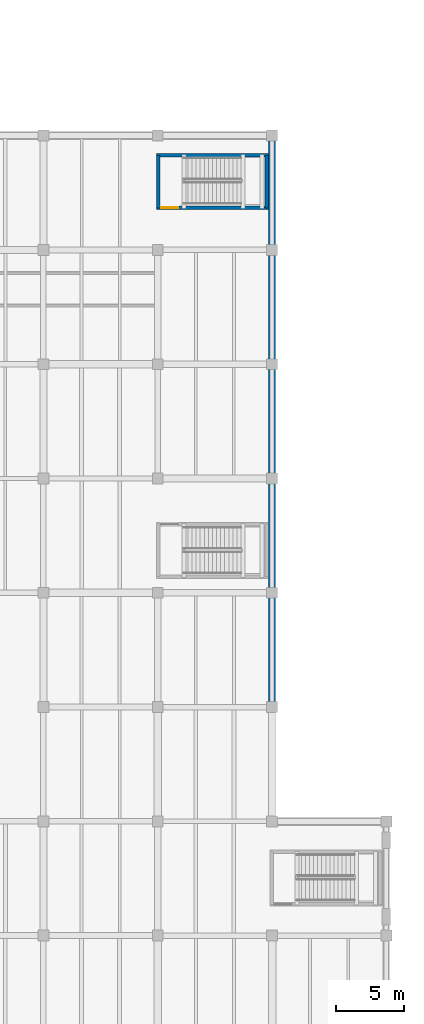
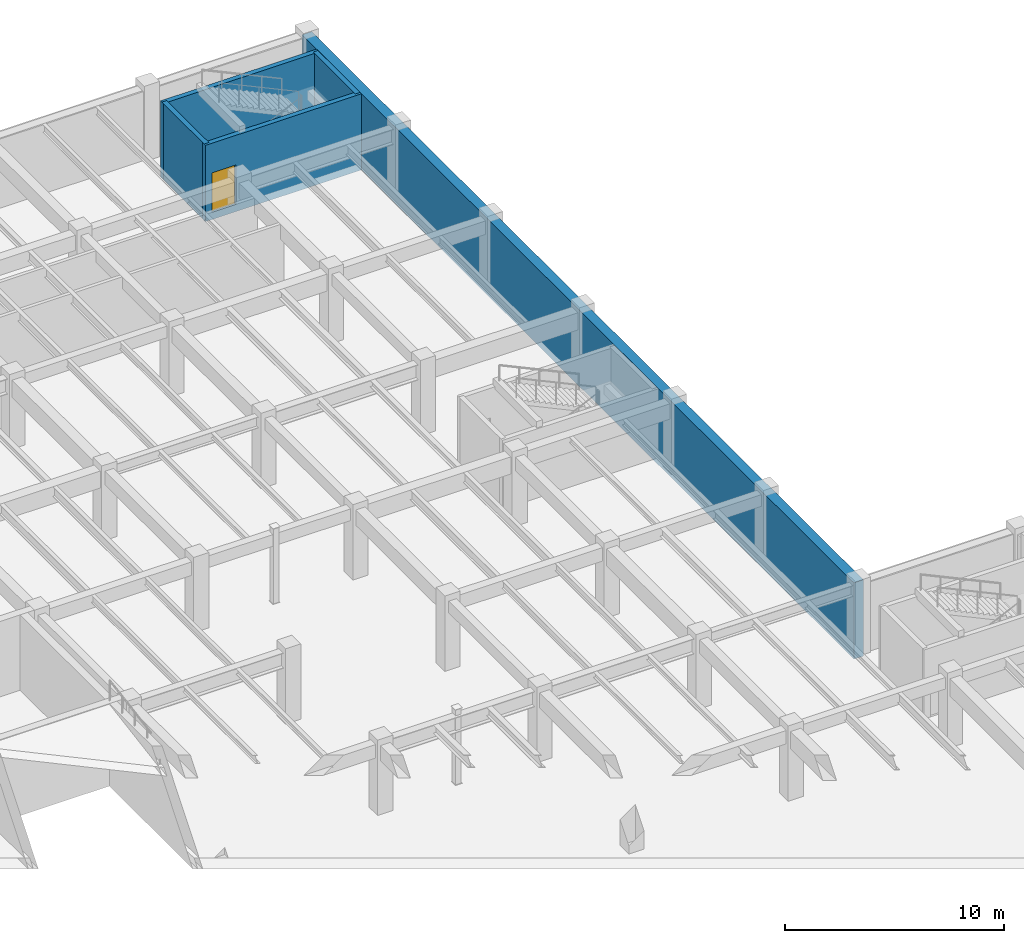
# One storey, part 48 of 63: 5 walls, 1 door, 1 opening.
"""IFC4 building model written with IfcOpenShell, lengths in metres."""

from ifc_helpers import new_model, si_unit, direction, frame, frame_2d, origin, place, context, subcontext, project, spatial, rectangle, extrude, material, layer, layer_set, type_object, element, fill, save


model = new_model("IFC4")

# Units and contexts
model_context = context("Model", 3, precision=1e-05, world=origin(), true_north=direction((0.0, 1.0)))
body_context = subcontext(model_context, "Body", "Model", "MODEL_VIEW")
ifc_project = project(units=[si_unit("LENGTHUNIT", "METRE"), si_unit("AREAUNIT", "SQUARE_METRE"), si_unit("VOLUMEUNIT", "CUBIC_METRE"), si_unit("PLANEANGLEUNIT", "RADIAN"), si_unit("MASSUNIT", "GRAM", prefix="KILO")], contexts=[model_context])

# Site, building, storey
site_placement = place(None, origin())
site = spatial("IfcSite", under=ifc_project, at=site_placement, CompositionType="ELEMENT")
building_placement = place(site_placement, origin())
building = spatial("IfcBuilding", under=site, at=building_placement, Name="Cumbredor Promenade Congress Hotel", CompositionType="ELEMENT")
storey_placement = place(building_placement, frame((0.0, 0.0, -4.199951171875)))
storey = spatial("IfcBuildingStorey", under=building, at=storey_placement, Name="B01", CompositionType="ELEMENT", Elevation=-4.199951171875)

# Wall
ifc_material_1 = material(Name="Concrete C40/50", Category="concrete")
ifc_layer_1 = layer(ifc_material_1, 0.5, Name="Concrete C40/50", Category="concrete")
ifc_layer_set_1 = layer_set([ifc_layer_1], Name="Concrete C40/50")
wall_type_1 = type_object("IfcWallType", Name="Basement Retaining Wall 500mm", PredefinedType="USERDEFINED", material=ifc_layer_set_1)
wall_1_placement = place(storey_placement, frame((176.39990234375, 67.199951171875, -0.400146484375), z_axis=(0.0, 0.0, 1.0), x_axis=(0.0, 1.0, 0.0)))
element("IfcWall", 1, at=wall_1_placement, inside=storey, type_object=wall_type_1, Name="B01 Basement Retaining Wall RW-B01-04", ObjectType="RETAINING WALL", PredefinedType="USERDEFINED", context=body_context, shape_type="SweptSolid", body=[
    extrude(rectangle(XDim=50.400146484375, YDim=0.5, at=frame_2d((25.2001953125, 0.0))), origin(), (0.0, 0.0, 1.0), 4.25),
])

# Wall, opening, door
ifc_layer_2 = layer(ifc_material_1, 0.2548828125, Name="Concrete C40/50", Category="concrete")
ifc_layer_set_2 = layer_set([ifc_layer_2], Name="Concrete C40/50")
wall_type_2 = type_object("IfcWallType", Name="WL-SHAFT-250", PredefinedType="SOLIDWALL", material=ifc_layer_set_2)
wall_2_placement = place(storey_placement, frame((167.922607421875, 112.300048828125, -0.400146484375), z_axis=(0.0, 0.0, 1.0), x_axis=(1.0, 0.0, 0.0)))
wall_2 = element("IfcWall", 2, at=wall_2_placement, inside=storey, type_object=wall_type_2, Name="STAIR-ST-16-B01 Shaft Wall South", PredefinedType="SOLIDWALL", context=body_context, shape_type="SweptSolid", body=[
    extrude(rectangle(XDim=8.224853515625, YDim=0.2548828125, at=frame_2d((4.1123046875, 0.0))), origin(), (0.0, 0.0, 1.0), 4.25),
])
opening_placement = place(wall_2_placement, frame((0.35009765625, 0.0, 0.39990234375)))
opening = element("IfcOpeningElement", 3, at=opening_placement, cuts=wall_2, Name="Opening SD-02", PredefinedType="OPENING", context=body_context, shape_type="SweptSolid", body=[
    extrude(rectangle(XDim=1.25, YDim=2.199951171875, at=frame_2d((0.625, 1.10009765625))), frame((0.0, 0.137451171875, 0.0), z_axis=(0.0, -1.0, 0.0), x_axis=(1.0, 0.0, 0.0)), (0.0, 0.0, 1.0), 0.27490234375),
])
ifc_material_2 = material(Name="Painted galvanized steel fire door", Category="steel")
door_type = type_object("IfcDoorType", Name="DR-STAIR-FD90-1250", OperationType="NOTDEFINED", PredefinedType="DOOR", material=ifc_material_2)
door_placement = place(opening_placement, origin())
door = element("IfcDoor", 4, at=door_placement, inside=storey, type_object=door_type, Name="B01 Protected Exit Stair ST-16 Door", OperationType="SINGLE_SWING_LEFT", OverallHeight=2.199951171875, OverallWidth=1.25, PredefinedType="DOOR", context=body_context, shape_type="SweptSolid", body=[
    extrude(rectangle(XDim=1.25, YDim=2.199951171875, at=frame_2d((0.625, 1.10009765625))), frame((0.0, 0.02490234375, 0.0), z_axis=(0.0, -1.0, 0.0), x_axis=(1.0, 0.0, 0.0)), (0.0, 0.0, 1.0), 0.050048828125),
])
fill(opening, door)

# Walls
wall_3_placement = place(storey_placement, frame((167.922607421875, 116.14990234375, -0.400146484375), z_axis=(0.0, 0.0, 1.0), x_axis=(1.0, 0.0, 0.0)))
element("IfcWall", 5, at=wall_3_placement, inside=storey, type_object=wall_type_2, Name="STAIR-ST-16-B01 Shaft Wall North", PredefinedType="SOLIDWALL", context=body_context, shape_type="SweptSolid", body=[
    extrude(rectangle(XDim=8.224853515625, YDim=0.2548828125, at=frame_2d((4.1123046875, 0.0))), origin(), (0.0, 0.0, 1.0), 4.25),
])
for number, where, z_axis, x_axis, name in (
    (6, (168.050048828125, 112.300048828125, -0.400146484375), (0.0, 0.0, 1.0), (0.0, 1.0, 0.0), "STAIR-ST-16-B01 Shaft Wall West"),
    (7, (176.02001953125, 112.300048828125, -0.400146484375), (0.0, 0.0, 1.0), (0.0, 1.0, 0.0), "STAIR-ST-16-B01 Shaft Wall East"),
):
    element("IfcWall", number, at=place(storey_placement, frame(where, z_axis=z_axis, x_axis=x_axis)), inside=storey, type_object=wall_type_2, Name=name, PredefinedType="SOLIDWALL", context=body_context, shape_type="SweptSolid", body=[
        extrude(rectangle(XDim=3.849853515625, YDim=0.2548828125, at=frame_2d((1.9248046875, 0.0))), origin(), (0.0, 0.0, 1.0), 4.25),
    ])

save(model, "model.ifc")
